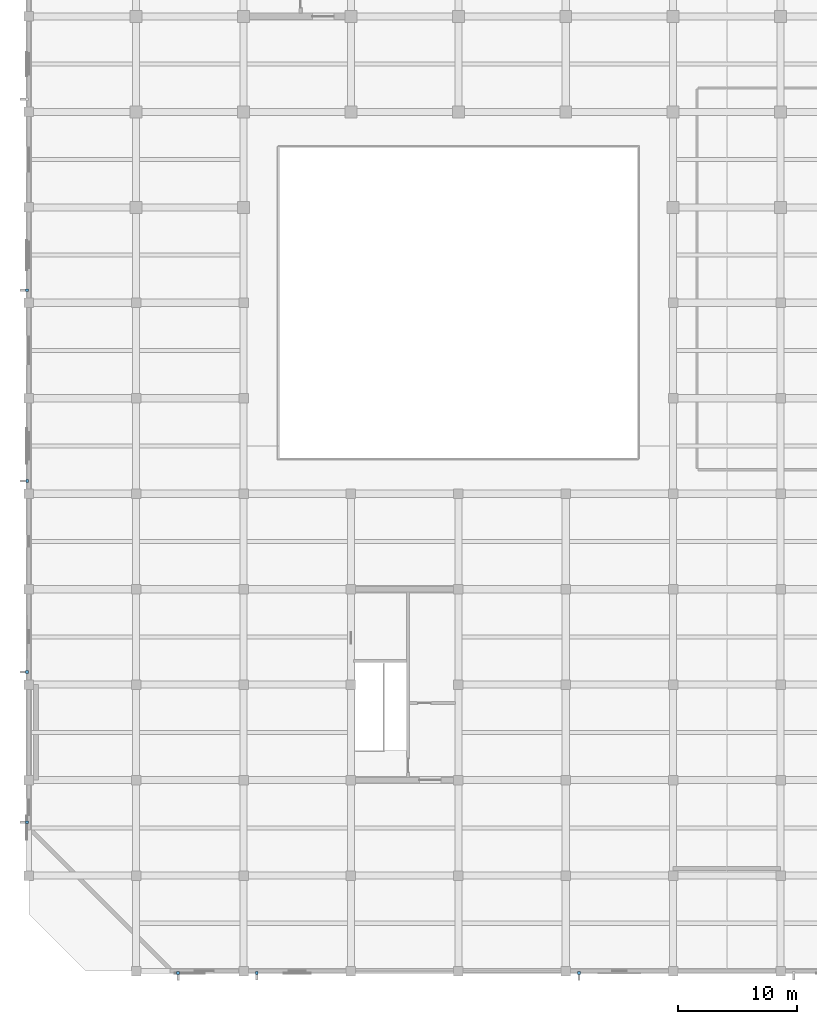
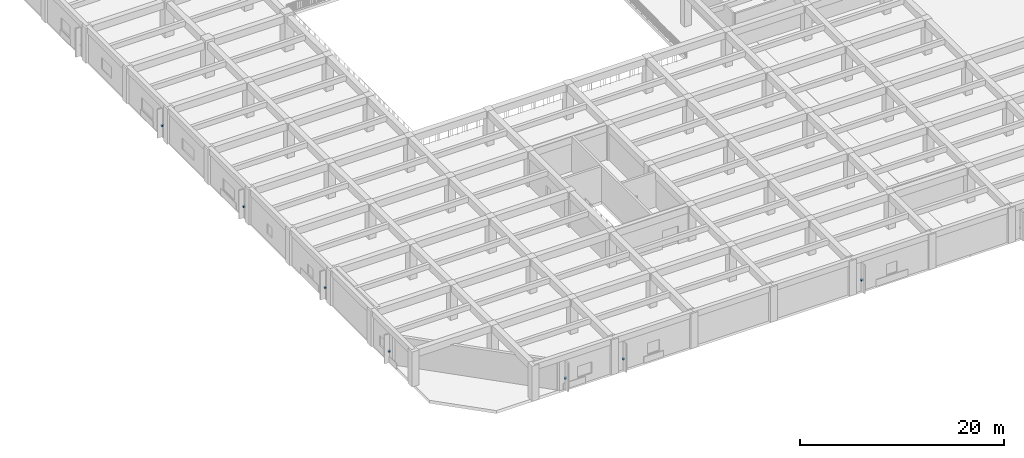
# One storey, part 21 of 32: 7 discrete accessories.
"""IFC4 building model written with IfcOpenShell, lengths in metres."""

from ifc_helpers import new_model, si_unit, direction, frame, origin, origin_2d, place, context, subcontext, project, spatial, rectangle, extrude, material, layer, layer_set, type_object, element, save


model = new_model("IFC4")

# Units and contexts
model_context = context("Model", 3, precision=1e-05, world=origin(), true_north=direction((0.0, 1.0)))
body_context = subcontext(model_context, "Body", "Model", "MODEL_VIEW")
ifc_project = project(units=[si_unit("LENGTHUNIT", "METRE"), si_unit("AREAUNIT", "SQUARE_METRE"), si_unit("VOLUMEUNIT", "CUBIC_METRE"), si_unit("PLANEANGLEUNIT", "RADIAN"), si_unit("MASSUNIT", "GRAM", prefix="KILO")], contexts=[model_context])

# Site, building, storey
site_placement = place(None, origin())
site = spatial("IfcSite", under=ifc_project, at=site_placement, CompositionType="ELEMENT")
building_placement = place(site_placement, origin())
building = spatial("IfcBuilding", under=site, at=building_placement, Name="Zaverband Oceanarium and Marine Research Institute", CompositionType="ELEMENT")
storey_placement = place(building_placement, frame((0.0, 0.0, 13.5)))
storey = spatial("IfcBuildingStorey", under=building, at=storey_placement, Name="L03", CompositionType="ELEMENT", Elevation=13.5)

# Discrete accessories
ifc_material = material(Name="Steel S355", Category="steel")
ifc_layer = layer(ifc_material, 0.179931640625, Name="Steel S355")
ifc_layer_set = layer_set([ifc_layer], Name="Steel S355")
discrete_accessory_type = type_object("IfcDiscreteAccessoryType", Name="BRK-STL-200", PredefinedType="BRACKET", material=ifc_layer_set)
for number, where, z_axis, x_axis, name in (
    (1, (12.52001953125, -0.169921875, 1.22021484375), (0.0, 0.0, 1.0), (1.0, 0.0, 0.0), "Galvanized steel facade fin structural bracket BRK-STL-200"),
    (2, (19.10498046875, -0.155029296875, 1.22021484375), (0.0, 0.0, 1.0), (1.0, 0.0, 0.0), "Galvanized steel facade fin structural bracket BRK-STL-200"),
    (3, (46.10498046875, -0.169921875, 1.22021484375), (0.0, 0.0, 1.0), (1.0, 0.0, 0.0), "Galvanized steel facade fin structural bracket BRK-STL-200"),
    (4, (-0.14501953125, 12.469970703125, 1.22021484375), (0.0, 0.0, 1.0), (1.0, 0.0, 0.0), "Galvanized steel facade fin structural bracket BRK-STL-200"),
    (5, (-0.155029296875, 25.054931640625, 1.22021484375), (0.0, 0.0, 1.0), (1.0, 0.0, 0.0), "Galvanized steel facade fin structural bracket BRK-STL-200"),
    (6, (-0.132568359375, 41.054931640625, 1.22021484375), (0.0, 0.0, 1.0), (1.0, 0.0, 0.0), "Galvanized steel facade fin structural bracket BRK-STL-200"),
    (7, (-0.14501953125, 57.054931640625, 1.22021484375), (0.0, 0.0, 1.0), (1.0, 0.0, 0.0), "Galvanized steel facade fin structural bracket BRK-STL-200"),
):
    element("IfcDiscreteAccessory", number, at=place(storey_placement, frame(where, z_axis=z_axis, x_axis=x_axis)), inside=storey, type_object=discrete_accessory_type, Name=name, PredefinedType="BRACKET", context=body_context, shape_type="SweptSolid", body=[
        extrude(rectangle(XDim=0.239990234375, YDim=0.239990234375, at=origin_2d()), origin(), (0.0, 0.0, 1.0), 0.179931640625),
    ])

save(model, "model.ifc")
